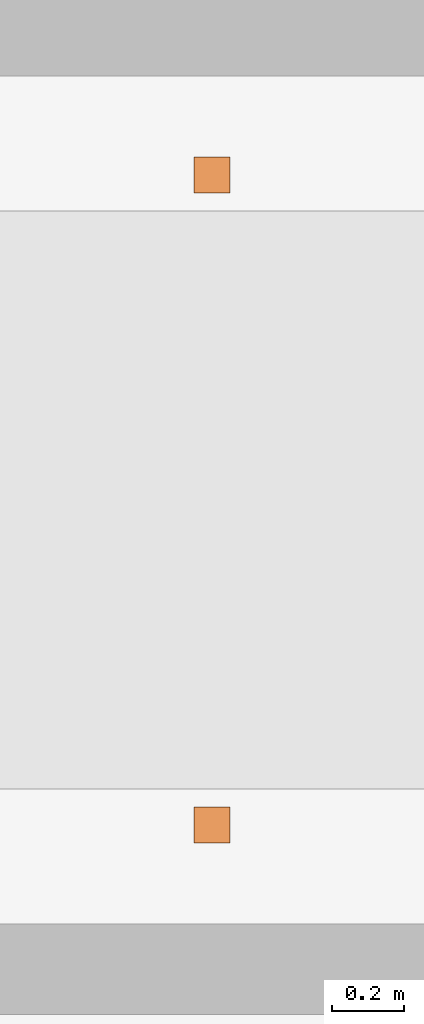
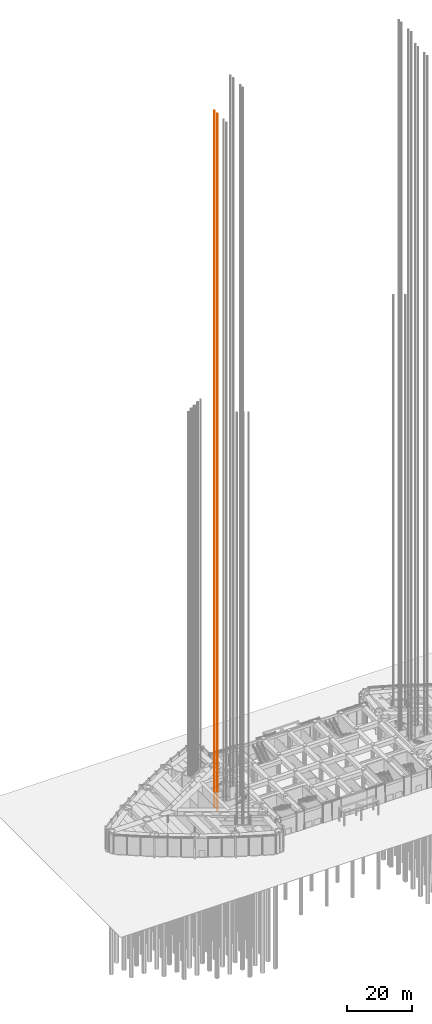
# One storey, part 33 of 43: 1 proxy.
"""IFC4 building model written with IfcOpenShell, lengths in metres."""

import ifcopenshell
import ifcopenshell.guid

model = None  # the IFC model being written
_history = None  # IfcOwnerHistory: only IFC2X3 demands one
_inside = {}  # id of a spatial element -> (the spatial element, [elements in it])
_under = {}  # id of a project, library or spatial element -> (it, [spatial elements below it])
_declared = {}  # id of a project -> (the project, [libraries it declares])
_typed = {}  # id of a type object -> (the type object, [elements of that type])
_made_of = {}  # id of a material, layer set ... -> (it, [elements and type objects made of it])


def new_model(schema):
    """Start an empty IFC model of exactly this schema.

    Asked for "IFC4X3", IfcOpenShell would pick the latest addendum, in which some entities
    have other attributes; the version numbers below select the first issue.
    IFC2X3 requires an IfcOwnerHistory on every rooted entity: one is made here for all.
    """
    global model, _history
    if schema == "IFC4X3":
        model = ifcopenshell.file(schema_version=(4, 3, 0, 0))
    else:
        model = ifcopenshell.file(schema=schema)
    _inside.clear()
    _under.clear()
    _declared.clear()
    _typed.clear()
    _made_of.clear()
    _history = None
    if model.schema == "IFC2X3":
        org = make("IfcOrganization", Name="unknown")
        user = make(
            "IfcPersonAndOrganization",
            ThePerson=make("IfcPerson", FamilyName="unknown"),
            TheOrganization=org,
        )
        app = make(
            "IfcApplication",
            ApplicationDeveloper=org,
            Version="unknown",
            ApplicationFullName="unknown",
            ApplicationIdentifier="unknown",
        )
        _history = make(
            "IfcOwnerHistory",
            OwningUser=user,
            OwningApplication=app,
            ChangeAction="ADDED",
            CreationDate=0,
        )
    return model


def make(cls, **values):
    """One entity of the class cls with the attributes given. An attribute that is None is left unset."""
    return model.create_entity(
        cls, **{name: value for name, value in values.items() if value is not None}
    )


def rooted(cls, **values):
    """An entity with a GlobalId (a new one), such as an element, a storey or a relation."""
    return make(cls, GlobalId=ifcopenshell.guid.new(), OwnerHistory=_history, **values)


def si_unit(unit_type, name, prefix=None):
    """IfcSIUnit, for example si_unit("LENGTHUNIT", "METRE", prefix="MILLI")."""
    return make("IfcSIUnit", UnitType=unit_type, Prefix=prefix, Name=name)


def assignment(units):
    """IfcUnitAssignment: the units of a project."""
    return None if units is None else make("IfcUnitAssignment", Units=units)


def point(xyz):
    """IfcCartesianPoint."""
    return None if xyz is None else make("IfcCartesianPoint", Coordinates=xyz)


def direction(xyz):
    """IfcDirection."""
    return None if xyz is None else make("IfcDirection", DirectionRatios=xyz)


def frame(location, z_axis=None, x_axis=None):
    """IfcAxis2Placement3D, a coordinate frame: its origin and axes. An axis left out is left unset."""
    return make(
        "IfcAxis2Placement3D",
        Location=point(location),
        Axis=direction(z_axis),
        RefDirection=direction(x_axis),
    )


def frame_2d(location, x_axis=None):
    """IfcAxis2Placement2D, a coordinate frame in the plane: its origin and x axis."""
    return make(
        "IfcAxis2Placement2D", Location=point(location), RefDirection=direction(x_axis)
    )


def origin():
    """The frame at (0, 0, 0) with its axes left unset."""
    return frame((0.0, 0.0, 0.0))


def origin_2d():
    """The frame at (0, 0) in the plane with its x axis left unset."""
    return frame_2d((0.0, 0.0))


def place(relative_to, where):
    """IfcLocalPlacement: puts the frame where relative to a parent placement (None: the world)."""
    return make(
        "IfcLocalPlacement", PlacementRelTo=relative_to, RelativePlacement=where
    )


def context(
    kind, dimensions, precision=None, world=None, true_north=None, identifier=None
):
    """IfcGeometricRepresentationContext, for example the 3D "Model" context."""
    return make(
        "IfcGeometricRepresentationContext",
        ContextIdentifier=identifier,
        ContextType=kind,
        CoordinateSpaceDimension=dimensions,
        Precision=precision,
        WorldCoordinateSystem=world,
        TrueNorth=true_north,
    )


def subcontext(parent, identifier, kind, view, scale=None):
    """IfcGeometricRepresentationSubContext, for example "Body" below "Model"."""
    return make(
        "IfcGeometricRepresentationSubContext",
        ContextIdentifier=identifier,
        ContextType=kind,
        ParentContext=parent,
        TargetScale=scale,
        TargetView=view,
    )


def project(units=None, contexts=None):
    """IfcProject with its units and contexts."""
    return rooted(
        "IfcProject",
        Name="project",
        RepresentationContexts=contexts,
        UnitsInContext=assignment(units),
    )


def spatial(cls, under=None, at=None, **own):
    """A site, building, storey or space (cls), placed at a placement, below another one or the project."""
    s = rooted(cls, ObjectPlacement=at, **own)
    if under is not None:
        _under.setdefault(under.id(), (under, []))[1].append(s)
    return s


def profile(cls, at=None, kind="AREA", **sizes):
    """A parametric profile (cls). Its sizes go by their IFC names, for example OverallWidth=200.0."""
    return make(cls, ProfileType=kind, Position=at, **sizes)


def rectangle(**sizes):
    """IfcRectangleProfileDef."""
    return profile("IfcRectangleProfileDef", **sizes)


def extrude(swept, where, along, depth):
    """IfcExtrudedAreaSolid: the profile swept, set in the frame where, extruded along a direction by depth."""
    return make(
        "IfcExtrudedAreaSolid",
        SweptArea=swept,
        Position=where,
        ExtrudedDirection=direction(along),
        Depth=depth,
    )


def shape(context_of_items, identifier, shape_type, items):
    """IfcShapeRepresentation: the items that make up one representation, for example the "Body"."""
    return make(
        "IfcShapeRepresentation",
        ContextOfItems=context_of_items,
        RepresentationIdentifier=identifier,
        RepresentationType=shape_type,
        Items=items,
    )


def material(Name=None, Category=None):
    """IfcMaterial."""
    return make("IfcMaterial", Name=Name, Category=Category)


def made_of(thing, what):
    """Note that an element or type object is made of a material, layer set ...; save() writes the relation."""
    if what is not None:
        _made_of.setdefault(what.id(), (what, []))[1].append(thing)
    return thing


def type_object(cls, material=None, **own):
    """A type object (cls), such as IfcWallType, which elements share."""
    return made_of(rooted(cls, **own), material)


def element(
    cls,
    number,
    at=None,
    inside=None,
    cuts=None,
    type_object=None,
    material=None,
    context=None,
    identifier="Body",
    shape_type=None,
    held_by="IfcProductDefinitionShape",
    body=None,
    shapes=None,
    **own,
):
    """One element of the class cls, such as IfcWall. Its Tag is "e" and its number.

    at: its placement. inside: the storey or other place that contains it. cuts: it is an
    opening in that element (IfcRelVoidsElement). A single representation is given by context,
    identifier, shape_type and body (its items); several are given by shapes. held_by: the class
    of the entity that holds the representations. save() writes the other relations.
    """
    e = rooted(cls, Tag="e%d" % number, ObjectPlacement=at, **own)
    if body is not None:
        shapes = [shape(context, identifier, shape_type, body)]
    if shapes is not None:
        e.Representation = make(held_by, Representations=shapes)
    if inside is not None:
        _inside.setdefault(inside.id(), (inside, []))[1].append(e)
    if cuts is not None:
        rooted(
            "IfcRelVoidsElement", RelatingBuildingElement=cuts, RelatedOpeningElement=e
        )
    if type_object is not None:
        _typed.setdefault(type_object.id(), (type_object, []))[1].append(e)
    return made_of(e, material)


def aggregate(whole, parts):
    """IfcRelAggregates: a whole, such as a stair, and the parts it consists of."""
    return rooted("IfcRelAggregates", RelatingObject=whole, RelatedObjects=parts)


def save(model, path):
    """Write the relations noted so far, then the file.

    IfcRelAggregates (storeys below a building ...), IfcRelContainedInSpatialStructure (elements
    in a storey), IfcRelDefinesByType, IfcRelAssociatesMaterial and IfcRelDeclares: one each for
    every whole, place, type object, material and project.
    """
    for whole, parts in _under.values():
        aggregate(whole, parts)
    for where, things in _inside.values():
        rooted(
            "IfcRelContainedInSpatialStructure",
            RelatedElements=things,
            RelatingStructure=where,
        )
    for kind, things in _typed.values():
        rooted("IfcRelDefinesByType", RelatedObjects=things, RelatingType=kind)
    for what, things in _made_of.values():
        rooted("IfcRelAssociatesMaterial", RelatedObjects=things, RelatingMaterial=what)
    for by, libraries in _declared.values():
        rooted("IfcRelDeclares", RelatingContext=by, RelatedDefinitions=libraries)
    model.write(path)


model = new_model("IFC4")

# Units and contexts
model_context = context("Model", 3, precision=1e-05, world=origin(), true_north=direction((0.0, 1.0)))
body_context = subcontext(model_context, "Body", "Model", "MODEL_VIEW")
ifc_project = project(units=[si_unit("LENGTHUNIT", "METRE"), si_unit("AREAUNIT", "SQUARE_METRE"), si_unit("VOLUMEUNIT", "CUBIC_METRE"), si_unit("PLANEANGLEUNIT", "RADIAN"), si_unit("MASSUNIT", "GRAM", prefix="KILO")], contexts=[model_context])

# Site, building, storey
site_placement = place(None, origin())
site = spatial("IfcSite", under=ifc_project, at=site_placement, CompositionType="ELEMENT")
building_placement = place(site_placement, origin())
building = spatial("IfcBuilding", under=site, at=building_placement, Name="Lancet Gate Hotel", CompositionType="ELEMENT")
storey_placement = place(building_placement, origin())
storey = spatial("IfcBuildingStorey", under=building, at=storey_placement, Name="L00", CompositionType="ELEMENT", Elevation=0.0)

# Proxy
ifc_material = material(Name="Steel S355", Category="steel")
building_element_proxy_type = type_object("IfcBuildingElementProxyType", Name="Lift guide rails", PredefinedType="USERDEFINED", material=ifc_material)
proxy_placement = place(storey_placement, frame((-35.47509765625, 2.824951171875, 0.0), z_axis=(0.0, 0.0, 1.0), x_axis=(1.0, 0.0, 0.0)))
element("IfcBuildingElementProxy", 1, at=proxy_placement, inside=storey, type_object=building_element_proxy_type, Name="T1-OL3 guide rails", ObjectType="LIFT GUIDE RAILS", PredefinedType="USERDEFINED", context=body_context, shape_type="SweptSolid", body=[
    extrude(rectangle(XDim=0.1, YDim=0.1, at=origin_2d()), frame((0.0, -0.89990234375, 0.0)), (0.0, 0.0, 1.0), 260.300048828125),
    extrude(rectangle(XDim=0.1, YDim=0.1, at=origin_2d()), frame((0.0, 0.89990234375, 0.0)), (0.0, 0.0, 1.0), 260.300048828125),
])

save(model, "model.ifc")
